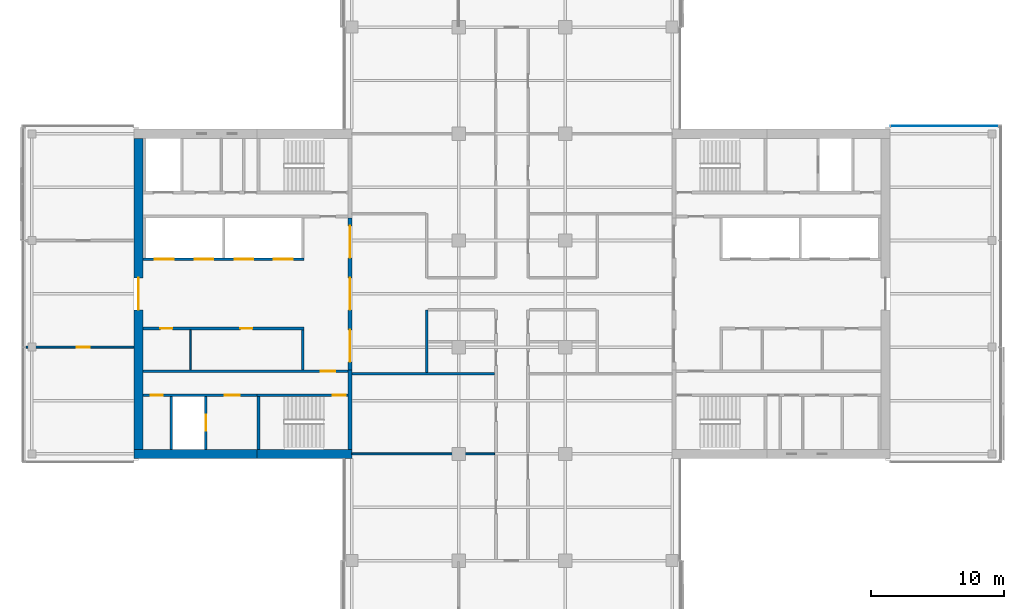
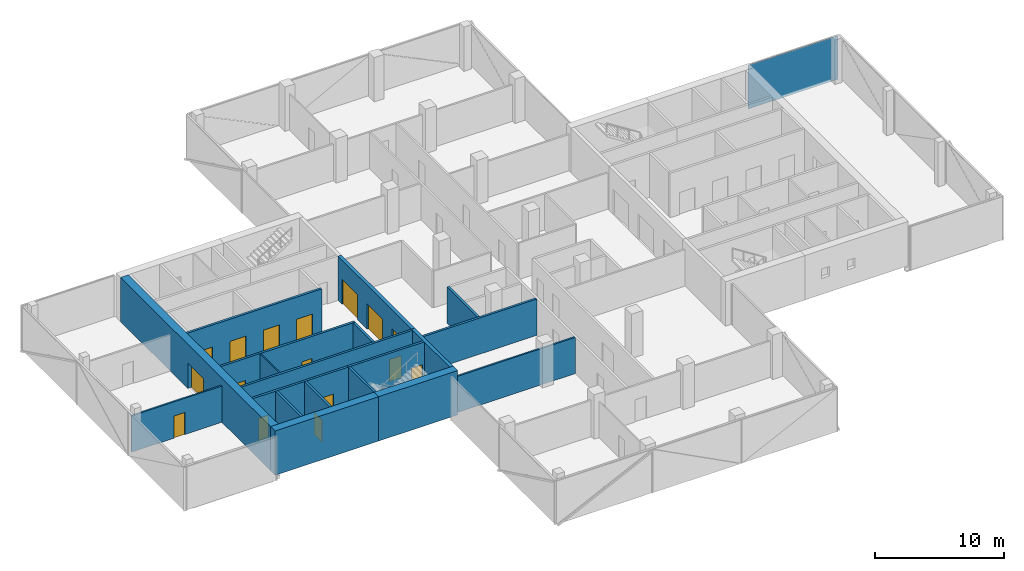
# One storey, part 13 of 22: 19 walls, 16 doors, 1 plate, 16 openings, 1 element without a shape of its own.
"""IFC4 building model written with IfcOpenShell, lengths in metres."""

from ifc_helpers import new_model, si_unit, direction, frame, frame_2d, origin, place, context, subcontext, project, spatial, polyline, rectangle, outline, extrude, material, layer, layer_set, constituent, constituent_set, type_object, element, fill, aggregate, save


model = new_model("IFC4")

# Units and contexts
model_context = context("Model", 3, precision=1e-05, world=origin(), true_north=direction((0.0, 1.0)))
body_context = subcontext(model_context, "Body", "Model", "MODEL_VIEW")
ifc_project = project(units=[si_unit("LENGTHUNIT", "METRE"), si_unit("AREAUNIT", "SQUARE_METRE"), si_unit("VOLUMEUNIT", "CUBIC_METRE"), si_unit("PLANEANGLEUNIT", "RADIAN"), si_unit("MASSUNIT", "GRAM", prefix="KILO")], contexts=[model_context])

# Site, building, storey
site_placement = place(None, origin())
site = spatial("IfcSite", under=ifc_project, at=site_placement, CompositionType="ELEMENT")
building_placement = place(site_placement, origin())
building = spatial("IfcBuilding", under=site, at=building_placement, Name="Crosswind Convention Tower", CompositionType="ELEMENT")
storey_placement = place(building_placement, frame((0.0, 0.0, 163.10009765625)))
storey = spatial("IfcBuildingStorey", under=building, at=storey_placement, Name="L34", CompositionType="ELEMENT", Elevation=163.10009765625)

# Curtain wall, plate
ifc_material_1 = material(Name="Aluminium unitised curtain wall", Category="aluminium")
curtain_wall_type = type_object("IfcCurtainWallType", Name="CORE END SLOT WALL 160", PredefinedType="USERDEFINED", material=ifc_material_1)
curtain_wall_placement = place(storey_placement, origin())
curtain_wall = element("IfcCurtainWall", 1, at=curtain_wall_placement, inside=storey, type_object=curtain_wall_type, Name="CW6 L34 E-N.1-1 slot", ObjectType="UNITISED", PredefinedType="USERDEFINED")
ifc_material_2 = material(Name="Laminated insulating glass unit", Category="glass")
ifc_layer_1 = layer(ifc_material_2, 0.02587890625)
ifc_layer_set_1 = layer_set([ifc_layer_1], Name="TRIANGULAR GLASS PANEL 26")
plate_type = type_object("IfcPlateType", Name="TRIANGULAR GLASS PANEL 26", PredefinedType="CURTAIN_PANEL", material=ifc_layer_set_1)
plate_placement = place(storey_placement, frame((161.449951171875, 112.60693359375, -0.300048828125), z_axis=(0.0, 0.999999915205, 0.00041181312), x_axis=(-1.0, 0.0, 0.0)))
plate = element("IfcPlate", 2, at=plate_placement, type_object=plate_type, Name="CW6 panel 1.1", PredefinedType="CURTAIN_PANEL", context=body_context, shape_type="SweptSolid", body=[
    extrude(outline(polyline([(0.0, 0.0), (8.050048828125, 0.0), (8.050048828125, 4.149902695641108), (0.0, 4.149902695641108), (0.0, 0.0)])), origin(), (0.0, 0.0, -1.0), 0.02587890625),
])
aggregate(curtain_wall, [plate])

# Walls
ifc_material_3 = material(Name="Concrete blockwork", Category="masonry")
ifc_layer_2 = layer(ifc_material_3, 0.199951171875)
ifc_layer_set_2 = layer_set([ifc_layer_2], Name="COMPARTMENT WALL 200 BLOCKWORK")
wall_type_1 = type_object("IfcWallType", Name="COMPARTMENT WALL 200 BLOCKWORK", PredefinedType="SOLIDWALL", material=ifc_layer_set_2)
wall_1_placement = place(storey_placement, frame((118.60009765625, 94.10009765625, 0.0), z_axis=(0.0, 0.0, 1.0), x_axis=(0.0, 1.0, 0.0)))
element("IfcWall", 3, at=wall_1_placement, inside=storey, type_object=wall_type_1, Name="Compartment wall WT42", PredefinedType="SOLIDWALL", context=body_context, shape_type="SweptSolid", body=[
    extrude(rectangle(XDim=4.699951171875, YDim=0.199951171875, at=frame_2d((2.35009765625, 0.0))), origin(), (0.0, 0.0, 1.0), 3.436279296875),
])
wall_2_placement = place(storey_placement, frame((113.0, 94.0, 0.0), z_axis=(0.0, 0.0, 1.0), x_axis=(1.0, 0.0, 0.0)))
element("IfcWall", 4, at=wall_2_placement, inside=storey, type_object=wall_type_1, Name="Compartment wall WT42", PredefinedType="SOLIDWALL", context=body_context, shape_type="SweptSolid", body=[
    extrude(rectangle(XDim=10.699951171875, YDim=0.199951171875, at=frame_2d((5.35009765625, 0.0))), origin(), (0.0, 0.0, 1.0), 3.436279296875),
])

# Wall, opening, door
ifc_material_4 = material(Name="Concrete C60/75", Category="concrete")
ifc_layer_3 = layer(ifc_material_4, 0.699951171875)
ifc_layer_set_3 = layer_set([ifc_layer_3], Name="Concrete C60/75")
wall_type_2 = type_object("IfcWallType", Name="Concrete core wall 700", PredefinedType="SHEAR", material=ifc_layer_set_3)
wall_3_placement = place(storey_placement, frame((97.0, 111.64990234375, 0.0), z_axis=(0.0, 0.0, 1.0), x_axis=(0.0, -1.0, 0.0)))
wall_3 = element("IfcWall", 5, at=wall_3_placement, inside=storey, type_object=wall_type_2, Name="Wall O W L34", PredefinedType="SHEAR", context=body_context, shape_type="SweptSolid", body=[
    extrude(rectangle(XDim=23.2998046875, YDim=0.699951171875, at=frame_2d((11.64990234375, 0.0))), origin(), (0.0, 0.0, 1.0), 4.199951171875),
])
opening_1_placement = place(wall_3_placement, frame((10.449951171875, 0.0, 0.0)))
opening_1 = element("IfcOpeningElement", 6, at=opening_1_placement, cuts=wall_3, Name="Opening D100", PredefinedType="OPENING", context=body_context, shape_type="SweptSolid", body=[
    extrude(rectangle(XDim=2.39990234375, YDim=2.39990234375, at=frame_2d((1.199951171875, 1.199951171875))), frame((0.0, 0.35986328125, 0.0), z_axis=(0.0, -1.0, 0.0), x_axis=(1.0, 0.0, 0.0)), (0.0, 0.0, 1.0), 0.719970703125),
])
ifc_material_5 = material(Name="Steel fire door with glazed vision panels", Category="steel")
door_type_1 = type_object("IfcDoorType", Name="Fire-rated double door 2400x2400", OperationType="DOUBLE_DOOR_SINGLE_SWING", PredefinedType="DOOR", material=ifc_material_5)
door_1_placement = place(opening_1_placement, origin())
door_1 = element("IfcDoor", 7, at=door_1_placement, inside=storey, type_object=door_type_1, Name="Lobby outer door L34", ObjectType="D100", OperationType="DOUBLE_DOOR_SINGLE_SWING", OverallHeight=2.39990234375, OverallWidth=2.39990234375, PredefinedType="DOOR", context=body_context, shape_type="SweptSolid", body=[
    extrude(rectangle(XDim=2.39990234375, YDim=2.39990234375, at=frame_2d((1.199951171875, 1.199951171875))), frame((0.0, 0.02490234375, 0.0), z_axis=(0.0, -1.0, 0.0), x_axis=(1.0, 0.0, 0.0)), (0.0, 0.0, 1.0), 0.050048828125),
])
fill(opening_1, door_1)

# Wall, openings, doors
ifc_material_6 = material(Name="Concrete C50/60", Category="concrete")
ifc_layer_4 = layer(ifc_material_6, 0.300048828125)
ifc_layer_set_4 = layer_set([ifc_layer_4], Name="Concrete C50/60")
wall_type_3 = type_object("IfcWallType", Name="Concrete inner core wall 300", PredefinedType="SHEAR", material=ifc_layer_set_4)
wall_4_placement = place(storey_placement, frame((112.85009765625, 105.699951171875, 0.0), z_axis=(0.0, 0.0, 1.0), x_axis=(0.0, -1.0, 0.0)))
wall_4 = element("IfcWall", 8, at=wall_4_placement, inside=storey, type_object=wall_type_3, Name="Wall SCR W L34", PredefinedType="SHEAR", context=body_context, shape_type="SweptSolid", body=[
    extrude(rectangle(XDim=11.39990234375, YDim=0.300048828125, at=frame_2d((5.699951171875, 0.0))), origin(), (0.0, 0.0, 1.0), 4.199951171875),
])
opening_2_placement = place(wall_4_placement, frame((0.60009765625, 0.0, 0.0)))
opening_2 = element("IfcOpeningElement", 9, at=opening_2_placement, cuts=wall_4, Name="Opening D100", PredefinedType="OPENING", context=body_context, shape_type="SweptSolid", body=[
    extrude(rectangle(XDim=2.39990234375, YDim=2.39990234375, at=frame_2d((1.199951171875, 1.199951171875))), frame((0.0, 0.159912109375, 0.0), z_axis=(0.0, -1.0, 0.0), x_axis=(1.0, 0.0, 0.0)), (0.0, 0.0, 1.0), 0.320068359375),
])
opening_3_placement = place(wall_4_placement, frame((4.5, 0.0, 0.0)))
opening_3 = element("IfcOpeningElement", 10, at=opening_3_placement, cuts=wall_4, Name="Opening D100", PredefinedType="OPENING", context=body_context, shape_type="SweptSolid", body=[
    extrude(rectangle(XDim=2.39990234375, YDim=2.39990234375, at=frame_2d((1.199951171875, 1.199951171875))), frame((0.0, 0.159912109375, 0.0), z_axis=(0.0, -1.0, 0.0), x_axis=(1.0, 0.0, 0.0)), (0.0, 0.0, 1.0), 0.320068359375),
])
opening_4_placement = place(wall_4_placement, frame((8.39990234375, 0.0, 0.0)))
opening_4 = element("IfcOpeningElement", 11, at=opening_4_placement, cuts=wall_4, Name="Opening D100", PredefinedType="OPENING", context=body_context, shape_type="SweptSolid", body=[
    extrude(rectangle(XDim=2.39990234375, YDim=2.39990234375, at=frame_2d((1.199951171875, 1.199951171875))), frame((0.0, 0.159912109375, 0.0), z_axis=(0.0, -1.0, 0.0), x_axis=(1.0, 0.0, 0.0)), (0.0, 0.0, 1.0), 0.320068359375),
])
door_2_placement = place(opening_2_placement, origin())
door_2 = element("IfcDoor", 12, at=door_2_placement, inside=storey, type_object=door_type_1, Name="Lobby door 1 L34", ObjectType="D100", OperationType="DOUBLE_DOOR_SINGLE_SWING", OverallHeight=2.39990234375, OverallWidth=2.39990234375, PredefinedType="DOOR", context=body_context, shape_type="SweptSolid", body=[
    extrude(rectangle(XDim=2.39990234375, YDim=2.39990234375, at=frame_2d((1.199951171875, 1.199951171875))), frame((0.0, 0.02490234375, 0.0), z_axis=(0.0, -1.0, 0.0), x_axis=(1.0, 0.0, 0.0)), (0.0, 0.0, 1.0), 0.050048828125),
])
fill(opening_2, door_2)
door_3_placement = place(opening_3_placement, origin())
door_3 = element("IfcDoor", 13, at=door_3_placement, inside=storey, type_object=door_type_1, Name="Lobby door 2 L34", ObjectType="D100", OperationType="DOUBLE_DOOR_SINGLE_SWING", OverallHeight=2.39990234375, OverallWidth=2.39990234375, PredefinedType="DOOR", context=body_context, shape_type="SweptSolid", body=[
    extrude(rectangle(XDim=2.39990234375, YDim=2.39990234375, at=frame_2d((1.199951171875, 1.199951171875))), frame((0.0, 0.02490234375, 0.0), z_axis=(0.0, -1.0, 0.0), x_axis=(1.0, 0.0, 0.0)), (0.0, 0.0, 1.0), 0.050048828125),
])
fill(opening_3, door_3)
door_4_placement = place(opening_4_placement, origin())
door_4 = element("IfcDoor", 14, at=door_4_placement, inside=storey, type_object=door_type_1, Name="Lobby door 3 L34", ObjectType="D100", OperationType="DOUBLE_DOOR_SINGLE_SWING", OverallHeight=2.39990234375, OverallWidth=2.39990234375, PredefinedType="DOOR", context=body_context, shape_type="SweptSolid", body=[
    extrude(rectangle(XDim=2.39990234375, YDim=2.39990234375, at=frame_2d((1.199951171875, 1.199951171875))), frame((0.0, 0.02490234375, 0.0), z_axis=(0.0, -1.0, 0.0), x_axis=(1.0, 0.0, 0.0)), (0.0, 0.0, 1.0), 0.050048828125),
])
fill(opening_4, door_4)

# Walls
wall_5_placement = place(storey_placement, frame((112.85009765625, 94.300048828125, 0.0), z_axis=(0.0, 0.0, 1.0), x_axis=(0.0, -1.0, 0.0)))
element("IfcWall", 15, at=wall_5_placement, inside=storey, type_object=wall_type_3, Name="Wall EP W L34", PredefinedType="SHEAR", context=body_context, shape_type="SweptSolid", body=[
    extrude(rectangle(XDim=5.949951171875, YDim=0.300048828125, at=frame_2d((2.97509765625, 0.0))), origin(), (0.0, 0.0, 1.0), 4.199951171875),
])
ifc_layer_5 = layer(ifc_material_6, 0.199951171875)
ifc_layer_set_5 = layer_set([ifc_layer_5], Name="Concrete C50/60")
wall_type_4 = type_object("IfcWallType", Name="Concrete shaft and stair wall 200", PredefinedType="SHEAR", material=ifc_layer_set_5)
wall_6_placement = place(storey_placement, frame((109.300048828125, 97.300048828125, 0.0), z_axis=(0.0, 0.0, 1.0), x_axis=(0.0, -1.0, 0.0)))
element("IfcWall", 16, at=wall_6_placement, inside=storey, type_object=wall_type_4, Name="Wall RPEND W L34", PredefinedType="SHEAR", context=body_context, shape_type="SweptSolid", body=[
    extrude(rectangle(XDim=3.0, YDim=0.199951171875, at=frame_2d((1.5, 0.0))), origin(), (0.0, 0.0, 1.0), 4.199951171875),
])

# Wall, openings, doors
wall_7_placement = place(storey_placement, frame((109.39990234375, 97.39990234375, 0.0), z_axis=(0.0, 0.0, 1.0), x_axis=(-1.0, 0.0, 0.0)))
wall_7 = element("IfcWall", 17, at=wall_7_placement, inside=storey, type_object=wall_type_4, Name="Wall RPFRONT W L34", PredefinedType="SHEAR", context=body_context, shape_type="SweptSolid", body=[
    extrude(rectangle(XDim=12.0498046875, YDim=0.199951171875, at=frame_2d((6.02490234375, 0.0))), origin(), (0.0, 0.0, 1.0), 4.199951171875),
])
opening_5_placement = place(wall_7_placement, frame((3.8662109375, 0.0, 0.0)))
opening_5 = element("IfcOpeningElement", 18, at=opening_5_placement, cuts=wall_7, Name="Opening D106", PredefinedType="OPENING", context=body_context, shape_type="SweptSolid", body=[
    extrude(rectangle(XDim=0.89990234375, YDim=2.10009765625, at=frame_2d((0.449951171875, 1.050048828125))), frame((0.0, 0.10986328125, 0.0), z_axis=(0.0, -1.0, 0.0), x_axis=(1.0, 0.0, 0.0)), (0.0, 0.0, 1.0), 0.219970703125),
])
opening_6_placement = place(wall_7_placement, frame((9.853759765625, 0.0, 0.0)))
opening_6 = element("IfcOpeningElement", 19, at=opening_6_placement, cuts=wall_7, Name="Opening D106", PredefinedType="OPENING", context=body_context, shape_type="SweptSolid", body=[
    extrude(rectangle(XDim=0.89990234375, YDim=2.10009765625, at=frame_2d((0.449951171875, 1.050048828125))), frame((0.0, 0.10986328125, 0.0), z_axis=(0.0, -1.0, 0.0), x_axis=(1.0, 0.0, 0.0)), (0.0, 0.0, 1.0), 0.219970703125),
])
ifc_material_7 = material(Name="Timber door", Category="wood")
door_type_2 = type_object("IfcDoorType", Name="Single leaf door 900x2100", OperationType="NOTDEFINED", PredefinedType="DOOR", material=ifc_material_7)
door_5_placement = place(opening_5_placement, origin())
door_5 = element("IfcDoor", 20, at=door_5_placement, inside=storey, type_object=door_type_2, Name="Door to meeting room L34", ObjectType="D106", OperationType="SINGLE_SWING_RIGHT", OverallHeight=2.10009765625, OverallWidth=0.89990234375, PredefinedType="DOOR", context=body_context, shape_type="SweptSolid", body=[
    extrude(rectangle(XDim=0.89990234375, YDim=2.10009765625, at=frame_2d((0.449951171875, 1.050048828125))), frame((0.0, 0.02490234375, 0.0), z_axis=(0.0, -1.0, 0.0), x_axis=(1.0, 0.0, 0.0)), (0.0, 0.0, 1.0), 0.050048828125),
])
fill(opening_5, door_5)
door_6_placement = place(opening_6_placement, origin())
door_6 = element("IfcDoor", 21, at=door_6_placement, inside=storey, type_object=door_type_2, Name="Door to pantry L34", ObjectType="D106", OperationType="SINGLE_SWING_RIGHT", OverallHeight=2.10009765625, OverallWidth=0.89990234375, PredefinedType="DOOR", context=body_context, shape_type="SweptSolid", body=[
    extrude(rectangle(XDim=0.89990234375, YDim=2.10009765625, at=frame_2d((0.449951171875, 1.050048828125))), frame((0.0, 0.02490234375, 0.0), z_axis=(0.0, -1.0, 0.0), x_axis=(1.0, 0.0, 0.0)), (0.0, 0.0, 1.0), 0.050048828125),
])
fill(opening_6, door_6)

wall_8_placement = place(storey_placement, frame((109.39990234375, 102.60009765625, 0.0), z_axis=(0.0, 0.0, 1.0), x_axis=(-1.0, 0.0, 0.0)))
wall_8 = element("IfcWall", 22, at=wall_8_placement, inside=storey, type_object=wall_type_4, Name="Wall RMFRONT W L34", PredefinedType="SHEAR", context=body_context, shape_type="SweptSolid", body=[
    extrude(rectangle(XDim=12.0498046875, YDim=0.199951171875, at=frame_2d((6.02490234375, 0.0))), origin(), (0.0, 0.0, 1.0), 4.199951171875),
])
opening_7_placement = place(wall_8_placement, frame((0.85009765625, 0.0, 0.0)))
opening_7 = element("IfcOpeningElement", 23, at=opening_7_placement, cuts=wall_8, Name="Opening LD2", PredefinedType="OPENING", context=body_context, shape_type="SweptSolid", body=[
    extrude(rectangle(XDim=1.39990234375, YDim=2.10009765625, at=frame_2d((0.699951171875, 1.050048828125))), frame((0.0, 0.10986328125, 0.0), z_axis=(0.0, -1.0, 0.0), x_axis=(1.0, 0.0, 0.0)), (0.0, 0.0, 1.0), 0.219970703125),
])
opening_8_placement = place(wall_8_placement, frame((3.800048828125, 0.0, 0.0)))
opening_8 = element("IfcOpeningElement", 24, at=opening_8_placement, cuts=wall_8, Name="Opening LD2", PredefinedType="OPENING", context=body_context, shape_type="SweptSolid", body=[
    extrude(rectangle(XDim=1.39990234375, YDim=2.10009765625, at=frame_2d((0.699951171875, 1.050048828125))), frame((0.0, 0.10986328125, 0.0), z_axis=(0.0, -1.0, 0.0), x_axis=(1.0, 0.0, 0.0)), (0.0, 0.0, 1.0), 0.219970703125),
])
opening_9_placement = place(wall_8_placement, frame((6.800048828125, 0.0, 0.0)))
opening_9 = element("IfcOpeningElement", 25, at=opening_9_placement, cuts=wall_8, Name="Opening LD2", PredefinedType="OPENING", context=body_context, shape_type="SweptSolid", body=[
    extrude(rectangle(XDim=1.39990234375, YDim=2.10009765625, at=frame_2d((0.699951171875, 1.050048828125))), frame((0.0, 0.10986328125, 0.0), z_axis=(0.0, -1.0, 0.0), x_axis=(1.0, 0.0, 0.0)), (0.0, 0.0, 1.0), 0.219970703125),
])
opening_10_placement = place(wall_8_placement, frame((9.77490234375, 0.0, 0.0)))
opening_10 = element("IfcOpeningElement", 26, at=opening_10_placement, cuts=wall_8, Name="Opening LD2", PredefinedType="OPENING", context=body_context, shape_type="SweptSolid", body=[
    extrude(rectangle(XDim=1.39990234375, YDim=2.10009765625, at=frame_2d((0.699951171875, 1.050048828125))), frame((0.0, 0.10986328125, 0.0), z_axis=(0.0, -1.0, 0.0), x_axis=(1.0, 0.0, 0.0)), (0.0, 0.0, 1.0), 0.219970703125),
])
ifc_material_8 = material(Name="Stainless steel", Category="steel")
door_type_3 = type_object("IfcDoorType", Name="Lift landing door 1400x2100", OperationType="DOUBLE_DOOR_SLIDING", PredefinedType="DOOR", material=ifc_material_8)
door_7_placement = place(opening_7_placement, origin())
door_7 = element("IfcDoor", 27, at=door_7_placement, inside=storey, type_object=door_type_3, Name="Landing door A5 L34", ObjectType="LD2", OperationType="DOUBLE_DOOR_SLIDING", OverallHeight=2.10009765625, OverallWidth=1.39990234375, PredefinedType="DOOR", context=body_context, shape_type="SweptSolid", body=[
    extrude(rectangle(XDim=1.39990234375, YDim=2.10009765625, at=frame_2d((0.699951171875, 1.050048828125))), frame((0.0, 0.02490234375, 0.0), z_axis=(0.0, -1.0, 0.0), x_axis=(1.0, 0.0, 0.0)), (0.0, 0.0, 1.0), 0.050048828125),
])
fill(opening_7, door_7)
door_8_placement = place(opening_8_placement, origin())
door_8 = element("IfcDoor", 28, at=door_8_placement, inside=storey, type_object=door_type_3, Name="Landing door A6 L34", ObjectType="LD2", OperationType="DOUBLE_DOOR_SLIDING", OverallHeight=2.10009765625, OverallWidth=1.39990234375, PredefinedType="DOOR", context=body_context, shape_type="SweptSolid", body=[
    extrude(rectangle(XDim=1.39990234375, YDim=2.10009765625, at=frame_2d((0.699951171875, 1.050048828125))), frame((0.0, 0.02490234375, 0.0), z_axis=(0.0, -1.0, 0.0), x_axis=(1.0, 0.0, 0.0)), (0.0, 0.0, 1.0), 0.050048828125),
])
fill(opening_8, door_8)
door_9_placement = place(opening_9_placement, origin())
door_9 = element("IfcDoor", 29, at=door_9_placement, inside=storey, type_object=door_type_3, Name="Landing door A7 L34", ObjectType="LD2", OperationType="DOUBLE_DOOR_SLIDING", OverallHeight=2.10009765625, OverallWidth=1.39990234375, PredefinedType="DOOR", context=body_context, shape_type="SweptSolid", body=[
    extrude(rectangle(XDim=1.39990234375, YDim=2.10009765625, at=frame_2d((0.699951171875, 1.050048828125))), frame((0.0, 0.02490234375, 0.0), z_axis=(0.0, -1.0, 0.0), x_axis=(1.0, 0.0, 0.0)), (0.0, 0.0, 1.0), 0.050048828125),
])
fill(opening_9, door_9)
door_10_placement = place(opening_10_placement, origin())
door_10 = element("IfcDoor", 30, at=door_10_placement, inside=storey, type_object=door_type_3, Name="Landing door A8 L34", ObjectType="LD2", OperationType="DOUBLE_DOOR_SLIDING", OverallHeight=2.10009765625, OverallWidth=1.39990234375, PredefinedType="DOOR", context=body_context, shape_type="SweptSolid", body=[
    extrude(rectangle(XDim=1.39990234375, YDim=2.10009765625, at=frame_2d((0.699951171875, 1.050048828125))), frame((0.0, 0.02490234375, 0.0), z_axis=(0.0, -1.0, 0.0), x_axis=(1.0, 0.0, 0.0)), (0.0, 0.0, 1.0), 0.050048828125),
])
fill(opening_10, door_10)

# Wall, opening, door
wall_9_placement = place(storey_placement, frame((112.699951171875, 94.199951171875, 0.0), z_axis=(0.0, 0.0, 1.0), x_axis=(-1.0, 0.0, 0.0)))
wall_9 = element("IfcWall", 31, at=wall_9_placement, inside=storey, type_object=wall_type_4, Name="Wall HP W L34", PredefinedType="SHEAR", context=body_context, shape_type="SweptSolid", body=[
    extrude(rectangle(XDim=15.349853515625, YDim=0.199951171875, at=frame_2d((7.6748046875, 0.0))), origin(), (0.0, 0.0, 1.0), 4.199951171875),
])
opening_11_placement = place(wall_9_placement, frame((0.949951171875, 0.0, 0.0)))
opening_11 = element("IfcOpeningElement", 32, at=opening_11_placement, cuts=wall_9, Name="Opening D104", PredefinedType="OPENING", context=body_context, shape_type="SweptSolid", body=[
    extrude(rectangle(XDim=1.10009765625, YDim=2.10009765625, at=frame_2d((0.550048828125, 1.050048828125))), frame((0.0, 0.10986328125, 0.0), z_axis=(0.0, -1.0, 0.0), x_axis=(1.0, 0.0, 0.0)), (0.0, 0.0, 1.0), 0.219970703125),
])
ifc_material_9 = material(Name="Steel fire door", Category="steel")
door_type_4 = type_object("IfcDoorType", Name="Fire-rated single door 1100x2100", OperationType="NOTDEFINED", PredefinedType="DOOR", material=ifc_material_9)
door_11_placement = place(opening_11_placement, origin())
door_11 = element("IfcDoor", 33, at=door_11_placement, inside=storey, type_object=door_type_4, Name="Corridor door L34", ObjectType="D104", OperationType="SINGLE_SWING_LEFT", OverallHeight=2.10009765625, OverallWidth=1.10009765625, PredefinedType="DOOR", context=body_context, shape_type="SweptSolid", body=[
    extrude(rectangle(XDim=1.10009765625, YDim=2.10009765625, at=frame_2d((0.550048828125, 1.050048828125))), frame((0.0, 0.02490234375, 0.0), z_axis=(0.0, -1.0, 0.0), x_axis=(1.0, 0.0, 0.0)), (0.0, 0.0, 1.0), 0.050048828125),
])
fill(opening_11, door_11)

# Wall
wall_10_placement = place(storey_placement, frame((106.0, 92.300048828125, 0.0), z_axis=(0.0, 0.0, 1.0), x_axis=(0.0, -1.0, 0.0)))
element("IfcWall", 34, at=wall_10_placement, inside=storey, type_object=wall_type_4, Name="Wall PSE W L34", PredefinedType="SHEAR", context=body_context, shape_type="SweptSolid", body=[
    extrude(rectangle(XDim=3.949951171875, YDim=0.199951171875, at=frame_2d((1.97509765625, 0.0))), origin(), (0.0, 0.0, 1.0), 4.199951171875),
])

# Wall, opening, door
wall_11_placement = place(storey_placement, frame((102.050048828125, 92.300048828125, 0.0), z_axis=(0.0, 0.0, 1.0), x_axis=(0.0, -1.0, 0.0)))
wall_11 = element("IfcWall", 35, at=wall_11_placement, inside=storey, type_object=wall_type_4, Name="Wall PFLW W L34", PredefinedType="SHEAR", context=body_context, shape_type="SweptSolid", body=[
    extrude(rectangle(XDim=3.949951171875, YDim=0.199951171875, at=frame_2d((1.97509765625, 0.0))), origin(), (0.0, 0.0, 1.0), 4.199951171875),
])
opening_12_placement = place(wall_11_placement, frame((1.375, 0.0, 0.0)))
opening_12 = element("IfcOpeningElement", 36, at=opening_12_placement, cuts=wall_11, Name="Opening LD1", PredefinedType="OPENING", context=body_context, shape_type="SweptSolid", body=[
    extrude(rectangle(XDim=1.199951171875, YDim=2.10009765625, at=frame_2d((0.60009765625, 1.050048828125))), frame((0.0, 0.10986328125, 0.0), z_axis=(0.0, -1.0, 0.0), x_axis=(1.0, 0.0, 0.0)), (0.0, 0.0, 1.0), 0.219970703125),
])
door_type_5 = type_object("IfcDoorType", Name="Lift landing door 1200x2100", OperationType="DOUBLE_DOOR_SLIDING", PredefinedType="DOOR", material=ifc_material_8)
door_12_placement = place(opening_12_placement, origin())
door_12 = element("IfcDoor", 37, at=door_12_placement, inside=storey, type_object=door_type_5, Name="Landing door FF2 L34", ObjectType="LD1", OperationType="DOUBLE_DOOR_SLIDING", OverallHeight=2.10009765625, OverallWidth=1.199951171875, PredefinedType="DOOR", context=body_context, shape_type="SweptSolid", body=[
    extrude(rectangle(XDim=1.199951171875, YDim=2.10009765625, at=frame_2d((0.60009765625, 1.050048828125))), frame((0.0, 0.02490234375, 0.0), z_axis=(0.0, -1.0, 0.0), x_axis=(1.0, 0.0, 0.0)), (0.0, 0.0, 1.0), 0.050048828125),
])
fill(opening_12, door_12)

# Wall
wall_12_placement = place(storey_placement, frame((99.449951171875, 92.300048828125, 0.0), z_axis=(0.0, 0.0, 1.0), x_axis=(0.0, -1.0, 0.0)))
element("IfcWall", 38, at=wall_12_placement, inside=storey, type_object=wall_type_4, Name="Wall PFSE W L34", PredefinedType="SHEAR", context=body_context, shape_type="SweptSolid", body=[
    extrude(rectangle(XDim=3.949951171875, YDim=0.199951171875, at=frame_2d((1.97509765625, 0.0))), origin(), (0.0, 0.0, 1.0), 4.199951171875),
])

# Wall, opening, door
wall_13_placement = place(storey_placement, frame((112.699951171875, 92.39990234375, 0.0), z_axis=(0.0, 0.0, 1.0), x_axis=(-1.0, 0.0, 0.0)))
wall_13 = element("IfcWall", 39, at=wall_13_placement, inside=storey, type_object=wall_type_4, Name="Wall PCW W L34", PredefinedType="SHEAR", context=body_context, shape_type="SweptSolid", body=[
    extrude(rectangle(XDim=6.800048828125, YDim=0.199951171875, at=frame_2d((3.39990234375, 0.0))), origin(), (0.0, 0.0, 1.0), 4.199951171875),
])
opening_13_placement = place(wall_13_placement, frame((0.14990234375, 0.0, 0.0)))
opening_13 = element("IfcOpeningElement", 40, at=opening_13_placement, cuts=wall_13, Name="Opening D103", PredefinedType="OPENING", context=body_context, shape_type="SweptSolid", body=[
    extrude(rectangle(XDim=1.0, YDim=2.10009765625, at=frame_2d((0.5, 1.050048828125))), frame((0.0, 0.10986328125, 0.0), z_axis=(0.0, -1.0, 0.0), x_axis=(1.0, 0.0, 0.0)), (0.0, 0.0, 1.0), 0.219970703125),
])
door_type_6 = type_object("IfcDoorType", Name="Fire-rated single door 1000x2100", OperationType="NOTDEFINED", PredefinedType="DOOR", material=ifc_material_9)
door_13_placement = place(opening_13_placement, origin())
door_13 = element("IfcDoor", 41, at=door_13_placement, inside=storey, type_object=door_type_6, Name="Stair ST3 door L34", ObjectType="D103", OperationType="SINGLE_SWING_LEFT", OverallHeight=2.10009765625, OverallWidth=1.0, PredefinedType="DOOR", context=body_context, shape_type="SweptSolid", body=[
    extrude(rectangle(XDim=1.0, YDim=2.10009765625, at=frame_2d((0.5, 1.050048828125))), frame((0.0, 0.02490234375, 0.0), z_axis=(0.0, -1.0, 0.0), x_axis=(1.0, 0.0, 0.0)), (0.0, 0.0, 1.0), 0.050048828125),
])
fill(opening_13, door_13)

# Wall, openings, doors
wall_14_placement = place(storey_placement, frame((105.89990234375, 92.39990234375, 0.0), z_axis=(0.0, 0.0, 1.0), x_axis=(-1.0, 0.0, 0.0)))
wall_14 = element("IfcWall", 42, at=wall_14_placement, inside=storey, type_object=wall_type_4, Name="Wall PCX W L34", PredefinedType="SHEAR", context=body_context, shape_type="SweptSolid", body=[
    extrude(rectangle(XDim=8.5498046875, YDim=0.199951171875, at=frame_2d((4.27490234375, 0.0))), origin(), (0.0, 0.0, 1.0), 4.199951171875),
])
opening_14_placement = place(wall_14_placement, frame((1.324951171875, 0.0, 0.0)))
opening_14 = element("IfcOpeningElement", 43, at=opening_14_placement, cuts=wall_14, Name="Opening D104", PredefinedType="OPENING", context=body_context, shape_type="SweptSolid", body=[
    extrude(rectangle(XDim=1.10009765625, YDim=2.10009765625, at=frame_2d((0.550048828125, 1.050048828125))), frame((0.0, 0.10986328125, 0.0), z_axis=(0.0, -1.0, 0.0), x_axis=(1.0, 0.0, 0.0)), (0.0, 0.0, 1.0), 0.219970703125),
])
opening_15_placement = place(wall_14_placement, frame((7.10009765625, 0.0, 0.0)))
opening_15 = element("IfcOpeningElement", 44, at=opening_15_placement, cuts=wall_14, Name="Opening D106", PredefinedType="OPENING", context=body_context, shape_type="SweptSolid", body=[
    extrude(rectangle(XDim=0.89990234375, YDim=2.10009765625, at=frame_2d((0.449951171875, 1.050048828125))), frame((0.0, 0.10986328125, 0.0), z_axis=(0.0, -1.0, 0.0), x_axis=(1.0, 0.0, 0.0)), (0.0, 0.0, 1.0), 0.219970703125),
])
door_14_placement = place(opening_14_placement, origin())
door_14 = element("IfcDoor", 45, at=door_14_placement, inside=storey, type_object=door_type_4, Name="Fire-fighting lobby FF2 door L34", ObjectType="D104", OperationType="SINGLE_SWING_RIGHT", OverallHeight=2.10009765625, OverallWidth=1.10009765625, PredefinedType="DOOR", context=body_context, shape_type="SweptSolid", body=[
    extrude(rectangle(XDim=1.10009765625, YDim=2.10009765625, at=frame_2d((0.550048828125, 1.050048828125))), frame((0.0, 0.02490234375, 0.0), z_axis=(0.0, -1.0, 0.0), x_axis=(1.0, 0.0, 0.0)), (0.0, 0.0, 1.0), 0.050048828125),
])
fill(opening_14, door_14)
door_15_placement = place(opening_15_placement, origin())
door_15 = element("IfcDoor", 46, at=door_15_placement, inside=storey, type_object=door_type_2, Name="Door to comms room L34", ObjectType="D106", OperationType="SINGLE_SWING_RIGHT", OverallHeight=2.10009765625, OverallWidth=0.89990234375, PredefinedType="DOOR", context=body_context, shape_type="SweptSolid", body=[
    extrude(rectangle(XDim=0.89990234375, YDim=2.10009765625, at=frame_2d((0.449951171875, 1.050048828125))), frame((0.0, 0.02490234375, 0.0), z_axis=(0.0, -1.0, 0.0), x_axis=(1.0, 0.0, 0.0)), (0.0, 0.0, 1.0), 0.050048828125),
])
fill(opening_15, door_15)

# Walls
ifc_material_10 = material(Name="Gypsum plasterboard partition", Category="gypsum")
ifc_layer_6 = layer(ifc_material_10, 0.125)
ifc_layer_set_6 = layer_set([ifc_layer_6], Name="Drywall partition wall 125")
wall_type_5 = type_object("IfcWallType", Name="Drywall partition wall 125", PredefinedType="PARTITIONING", material=ifc_layer_set_6)
wall_15_placement = place(storey_placement, frame((100.905029296875, 97.300048828125, 0.0), z_axis=(0.0, 0.0, 1.0), x_axis=(0.0, -1.0, 0.0)))
element("IfcWall", 47, at=wall_15_placement, inside=storey, type_object=wall_type_5, Name="Wall RPP1 W L34", PredefinedType="PARTITIONING", context=body_context, shape_type="SweptSolid", body=[
    extrude(rectangle(XDim=3.0, YDim=0.125, at=frame_2d((1.5, 0.0))), origin(), (0.0, 0.0, 1.0), 4.199951171875),
])
ifc_material_11 = material(Name="Fire-board partition with mineral wool", Category="gypsum")
ifc_layer_7 = layer(ifc_material_11, 0.14990234375)
ifc_layer_set_7 = layer_set([ifc_layer_7], Name="TENANCY WALL 150 TWO-HOUR BOARD")
wall_type_6 = type_object("IfcWallType", Name="TENANCY WALL 150 TWO-HOUR BOARD", PredefinedType="PARTITIONING", material=ifc_layer_set_7)
wall_16_placement = place(storey_placement, frame((113.0, 88.0, 0.0), z_axis=(0.0, 0.0, 1.0), x_axis=(1.0, 0.0, 0.0)))
element("IfcWall", 48, at=wall_16_placement, inside=storey, type_object=wall_type_6, Name="Tenancy wall WT41", PredefinedType="PARTITIONING", context=body_context, shape_type="SweptSolid", body=[
    extrude(rectangle(XDim=10.699951171875, YDim=0.14990234375, at=frame_2d((5.35009765625, 0.0))), origin(), (0.0, 0.0, 1.0), 3.436279296875),
])

# Wall, opening, door
wall_17_placement = place(storey_placement, frame((88.580078125, 96.0, 0.0), z_axis=(0.0, 0.0, 1.0), x_axis=(1.0, 0.0, 0.0)))
wall_17 = element("IfcWall", 49, at=wall_17_placement, inside=storey, type_object=wall_type_6, Name="Tenancy wall WT41", PredefinedType="PARTITIONING", context=body_context, shape_type="SweptSolid", body=[
    extrude(rectangle(XDim=8.06982421875, YDim=0.14990234375, at=frame_2d((4.034912109375, 0.0))), origin(), (0.0, 0.0, 1.0), 3.436279296875),
])
opening_16_placement = place(wall_17_placement, frame((3.77001953125, 0.0, 0.0)))
opening_16 = element("IfcOpeningElement", 50, at=opening_16_placement, cuts=wall_17, Name="Opening L34-67", PredefinedType="OPENING", context=body_context, shape_type="SweptSolid", body=[
    extrude(rectangle(XDim=1.0, YDim=2.10009765625, at=frame_2d((0.5, 1.050048828125))), frame((0.0, 0.0849609375, 0.0), z_axis=(0.0, -1.0, 0.0), x_axis=(1.0, 0.0, 0.0)), (0.0, 0.0, 1.0), 0.169921875),
])
ifc_material_12 = material(Name="Timber fire door", Category="wood")
door_type_7 = type_object("IfcDoorType", Name="TENANCY ENTRANCE DOOR 1000X2100 FD30S", OperationType="NOTDEFINED", PredefinedType="DOOR", material=ifc_material_12)
door_16_placement = place(opening_16_placement, frame((1.0, 0.0, 0.0), z_axis=(0.0, 0.0, 1.0), x_axis=(-1.0, 0.0, 0.0)))
door_16 = element("IfcDoor", 51, at=door_16_placement, inside=storey, type_object=door_type_7, Name="Door L34-67", ObjectType="D41", OperationType="SINGLE_SWING_RIGHT", OverallHeight=2.10009765625, OverallWidth=1.0, PredefinedType="DOOR", context=body_context, shape_type="SweptSolid", body=[
    extrude(rectangle(XDim=1.0, YDim=2.10009765625, at=frame_2d((0.5, 1.050048828125))), frame((0.0, 0.02490234375, 0.0), z_axis=(0.0, -1.0, 0.0), x_axis=(1.0, 0.0, 0.0)), (0.0, 0.0, 1.0), 0.050048828125),
])
fill(opening_16, door_16)

# Walls
ifc_constituent_1 = constituent(ifc_material_4, Name="Structure")
ifc_material_13 = material(Name="Terracotta rainscreen", Category="ceramic")
ifc_constituent_2 = constituent(ifc_material_13, Name="Facing")
ifc_constituent_set = constituent_set(constituents=[ifc_constituent_1, ifc_constituent_2], Name="Concrete C60/75, Terracotta rainscreen")
wall_type_7 = type_object("IfcWallType", Name="Terracotta rainscreen on concrete core wall 700", PredefinedType="SHEAR", material=ifc_constituent_set)
wall_18_placement = place(storey_placement, frame((113.0, 88.0, 0.0), z_axis=(0.0, 0.0, 1.0), x_axis=(-1.0, 0.0, 0.0)))
element("IfcWall", 52, at=wall_18_placement, inside=storey, type_object=wall_type_7, Name="Wall N1 W L34", PredefinedType="SHEAR", context=body_context, shape_type="SweptSolid", body=[
    extrude(rectangle(XDim=7.10009765625, YDim=0.699951171875, at=frame_2d((3.550048828125, 0.0))), origin(), (0.0, 0.0, 1.0), 4.199951171875),
])
wall_19_placement = place(storey_placement, frame((105.89990234375, 88.0, 0.0), z_axis=(0.0, 0.0, 1.0), x_axis=(-1.0, 0.0, 0.0)))
element("IfcWall", 53, at=wall_19_placement, inside=storey, type_object=wall_type_7, Name="Wall N2 W L34", PredefinedType="SHEAR", context=body_context, shape_type="SweptSolid", body=[
    extrude(rectangle(XDim=9.25, YDim=0.699951171875, at=frame_2d((4.625, 0.0))), origin(), (0.0, 0.0, 1.0), 4.199951171875),
])

save(model, "model.ifc")
